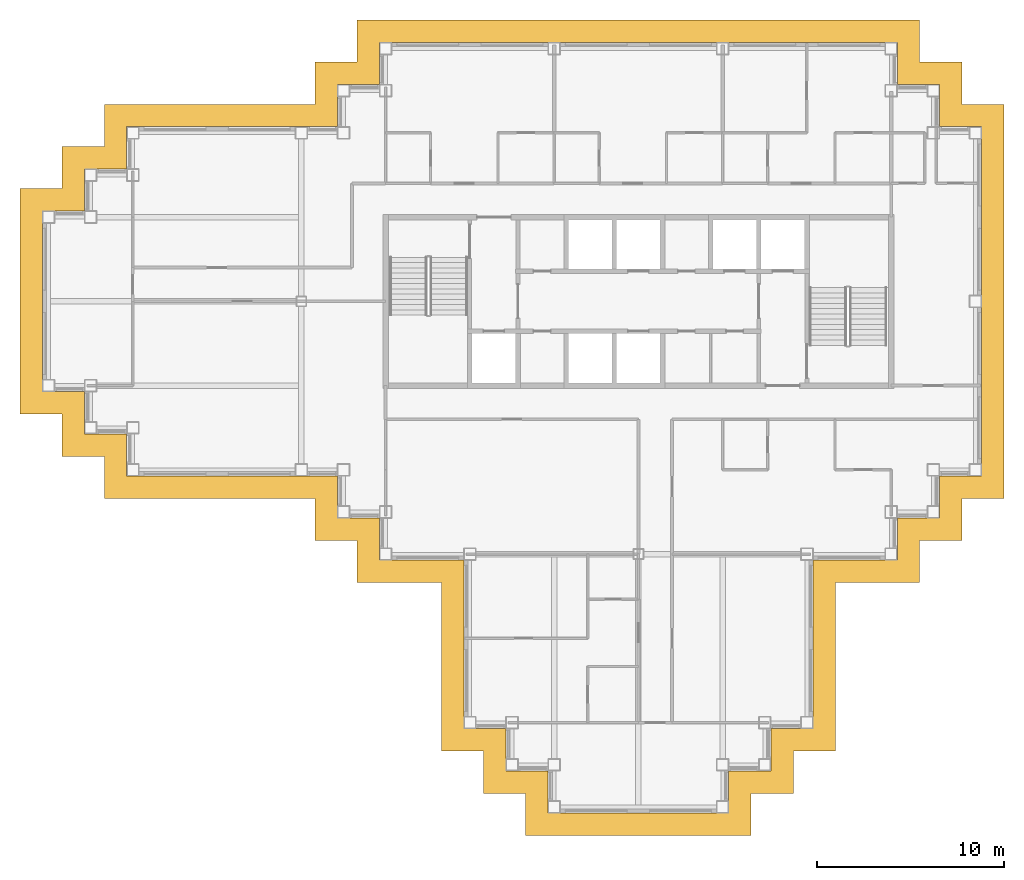
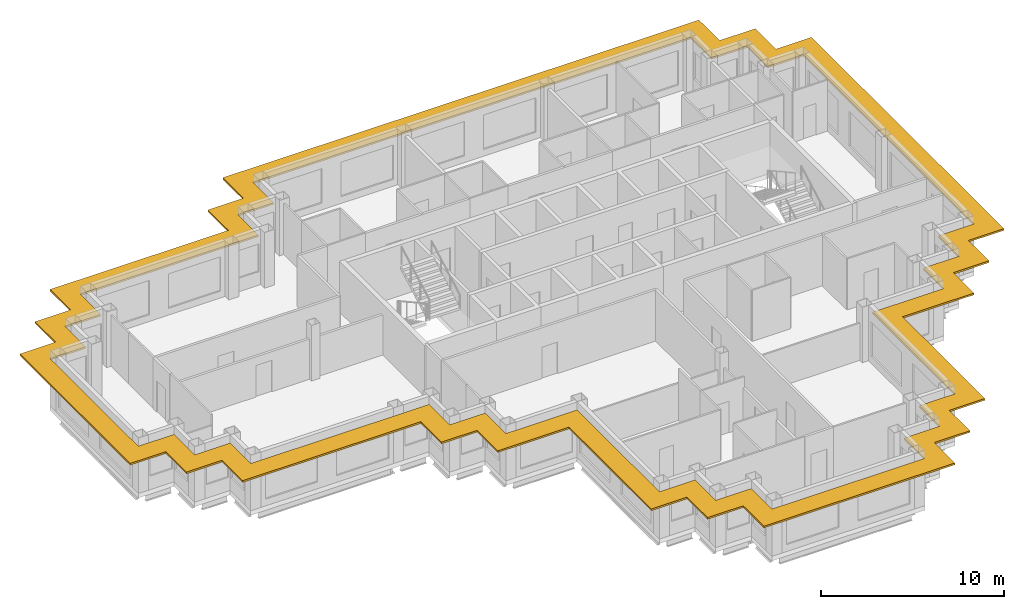
# One storey, part 10 of 11: 1 shading device.
"""IFC4 building model written with IfcOpenShell, lengths in metres."""

import ifcopenshell
import ifcopenshell.guid

model = None  # the IFC model being written
_history = None  # IfcOwnerHistory: only IFC2X3 demands one
_inside = {}  # id of a spatial element -> (the spatial element, [elements in it])
_under = {}  # id of a project, library or spatial element -> (it, [spatial elements below it])
_declared = {}  # id of a project -> (the project, [libraries it declares])
_typed = {}  # id of a type object -> (the type object, [elements of that type])
_made_of = {}  # id of a material, layer set ... -> (it, [elements and type objects made of it])


def new_model(schema):
    """Start an empty IFC model of exactly this schema.

    Asked for "IFC4X3", IfcOpenShell would pick the latest addendum, in which some entities
    have other attributes; the version numbers below select the first issue.
    IFC2X3 requires an IfcOwnerHistory on every rooted entity: one is made here for all.
    """
    global model, _history
    if schema == "IFC4X3":
        model = ifcopenshell.file(schema_version=(4, 3, 0, 0))
    else:
        model = ifcopenshell.file(schema=schema)
    _inside.clear()
    _under.clear()
    _declared.clear()
    _typed.clear()
    _made_of.clear()
    _history = None
    if model.schema == "IFC2X3":
        org = make("IfcOrganization", Name="unknown")
        user = make(
            "IfcPersonAndOrganization",
            ThePerson=make("IfcPerson", FamilyName="unknown"),
            TheOrganization=org,
        )
        app = make(
            "IfcApplication",
            ApplicationDeveloper=org,
            Version="unknown",
            ApplicationFullName="unknown",
            ApplicationIdentifier="unknown",
        )
        _history = make(
            "IfcOwnerHistory",
            OwningUser=user,
            OwningApplication=app,
            ChangeAction="ADDED",
            CreationDate=0,
        )
    return model


def make(cls, **values):
    """One entity of the class cls with the attributes given. An attribute that is None is left unset."""
    return model.create_entity(
        cls, **{name: value for name, value in values.items() if value is not None}
    )


def rooted(cls, **values):
    """An entity with a GlobalId (a new one), such as an element, a storey or a relation."""
    return make(cls, GlobalId=ifcopenshell.guid.new(), OwnerHistory=_history, **values)


def si_unit(unit_type, name, prefix=None):
    """IfcSIUnit, for example si_unit("LENGTHUNIT", "METRE", prefix="MILLI")."""
    return make("IfcSIUnit", UnitType=unit_type, Prefix=prefix, Name=name)


def assignment(units):
    """IfcUnitAssignment: the units of a project."""
    return None if units is None else make("IfcUnitAssignment", Units=units)


def point(xyz):
    """IfcCartesianPoint."""
    return None if xyz is None else make("IfcCartesianPoint", Coordinates=xyz)


def direction(xyz):
    """IfcDirection."""
    return None if xyz is None else make("IfcDirection", DirectionRatios=xyz)


def frame(location, z_axis=None, x_axis=None):
    """IfcAxis2Placement3D, a coordinate frame: its origin and axes. An axis left out is left unset."""
    return make(
        "IfcAxis2Placement3D",
        Location=point(location),
        Axis=direction(z_axis),
        RefDirection=direction(x_axis),
    )


def origin():
    """The frame at (0, 0, 0) with its axes left unset."""
    return frame((0.0, 0.0, 0.0))


def place(relative_to, where):
    """IfcLocalPlacement: puts the frame where relative to a parent placement (None: the world)."""
    return make(
        "IfcLocalPlacement", PlacementRelTo=relative_to, RelativePlacement=where
    )


def context(
    kind, dimensions, precision=None, world=None, true_north=None, identifier=None
):
    """IfcGeometricRepresentationContext, for example the 3D "Model" context."""
    return make(
        "IfcGeometricRepresentationContext",
        ContextIdentifier=identifier,
        ContextType=kind,
        CoordinateSpaceDimension=dimensions,
        Precision=precision,
        WorldCoordinateSystem=world,
        TrueNorth=true_north,
    )


def subcontext(parent, identifier, kind, view, scale=None):
    """IfcGeometricRepresentationSubContext, for example "Body" below "Model"."""
    return make(
        "IfcGeometricRepresentationSubContext",
        ContextIdentifier=identifier,
        ContextType=kind,
        ParentContext=parent,
        TargetScale=scale,
        TargetView=view,
    )


def project(units=None, contexts=None):
    """IfcProject with its units and contexts."""
    return rooted(
        "IfcProject",
        Name="project",
        RepresentationContexts=contexts,
        UnitsInContext=assignment(units),
    )


def spatial(cls, under=None, at=None, **own):
    """A site, building, storey or space (cls), placed at a placement, below another one or the project."""
    s = rooted(cls, ObjectPlacement=at, **own)
    if under is not None:
        _under.setdefault(under.id(), (under, []))[1].append(s)
    return s


def polyline(points):
    """IfcPolyline through the points."""
    return make("IfcPolyline", Points=[point(p) for p in points])


def outline(outer, holes=None, kind="AREA"):
    """IfcArbitraryClosedProfileDef: a profile drawn as a closed curve; with holes, ...WithVoids."""
    if holes is None:
        return make("IfcArbitraryClosedProfileDef", ProfileType=kind, OuterCurve=outer)
    return make(
        "IfcArbitraryProfileDefWithVoids",
        ProfileType=kind,
        OuterCurve=outer,
        InnerCurves=holes,
    )


def extrude(swept, where, along, depth):
    """IfcExtrudedAreaSolid: the profile swept, set in the frame where, extruded along a direction by depth."""
    return make(
        "IfcExtrudedAreaSolid",
        SweptArea=swept,
        Position=where,
        ExtrudedDirection=direction(along),
        Depth=depth,
    )


def shape(context_of_items, identifier, shape_type, items):
    """IfcShapeRepresentation: the items that make up one representation, for example the "Body"."""
    return make(
        "IfcShapeRepresentation",
        ContextOfItems=context_of_items,
        RepresentationIdentifier=identifier,
        RepresentationType=shape_type,
        Items=items,
    )


def material(Name=None, Category=None):
    """IfcMaterial."""
    return make("IfcMaterial", Name=Name, Category=Category)


def layer(
    of_material, thickness, ventilated=None, Name=None, Category=None, Priority=None
):
    """IfcMaterialLayer: one layer of a wall or slab, of a material (None: an air gap)."""
    return make(
        "IfcMaterialLayer",
        Material=of_material,
        LayerThickness=thickness,
        IsVentilated=ventilated,
        Name=Name,
        Category=Category,
        Priority=Priority,
    )


def layer_set(layers, Name=None):
    """IfcMaterialLayerSet."""
    return make("IfcMaterialLayerSet", MaterialLayers=layers, LayerSetName=Name)


def made_of(thing, what):
    """Note that an element or type object is made of a material, layer set ...; save() writes the relation."""
    if what is not None:
        _made_of.setdefault(what.id(), (what, []))[1].append(thing)
    return thing


def type_object(cls, material=None, **own):
    """A type object (cls), such as IfcWallType, which elements share."""
    return made_of(rooted(cls, **own), material)


def element(
    cls,
    number,
    at=None,
    inside=None,
    cuts=None,
    type_object=None,
    material=None,
    context=None,
    identifier="Body",
    shape_type=None,
    held_by="IfcProductDefinitionShape",
    body=None,
    shapes=None,
    **own,
):
    """One element of the class cls, such as IfcWall. Its Tag is "e" and its number.

    at: its placement. inside: the storey or other place that contains it. cuts: it is an
    opening in that element (IfcRelVoidsElement). A single representation is given by context,
    identifier, shape_type and body (its items); several are given by shapes. held_by: the class
    of the entity that holds the representations. save() writes the other relations.
    """
    e = rooted(cls, Tag="e%d" % number, ObjectPlacement=at, **own)
    if body is not None:
        shapes = [shape(context, identifier, shape_type, body)]
    if shapes is not None:
        e.Representation = make(held_by, Representations=shapes)
    if inside is not None:
        _inside.setdefault(inside.id(), (inside, []))[1].append(e)
    if cuts is not None:
        rooted(
            "IfcRelVoidsElement", RelatingBuildingElement=cuts, RelatedOpeningElement=e
        )
    if type_object is not None:
        _typed.setdefault(type_object.id(), (type_object, []))[1].append(e)
    return made_of(e, material)


def aggregate(whole, parts):
    """IfcRelAggregates: a whole, such as a stair, and the parts it consists of."""
    return rooted("IfcRelAggregates", RelatingObject=whole, RelatedObjects=parts)


def save(model, path):
    """Write the relations noted so far, then the file.

    IfcRelAggregates (storeys below a building ...), IfcRelContainedInSpatialStructure (elements
    in a storey), IfcRelDefinesByType, IfcRelAssociatesMaterial and IfcRelDeclares: one each for
    every whole, place, type object, material and project.
    """
    for whole, parts in _under.values():
        aggregate(whole, parts)
    for where, things in _inside.values():
        rooted(
            "IfcRelContainedInSpatialStructure",
            RelatedElements=things,
            RelatingStructure=where,
        )
    for kind, things in _typed.values():
        rooted("IfcRelDefinesByType", RelatedObjects=things, RelatingType=kind)
    for what, things in _made_of.values():
        rooted("IfcRelAssociatesMaterial", RelatedObjects=things, RelatingMaterial=what)
    for by, libraries in _declared.values():
        rooted("IfcRelDeclares", RelatingContext=by, RelatedDefinitions=libraries)
    model.write(path)


model = new_model("IFC4")

# Units and contexts
model_context = context("Model", 3, precision=1e-05, world=origin(), true_north=direction((0.0, 1.0)))
body_context = subcontext(model_context, "Body", "Model", "MODEL_VIEW")
ifc_project = project(units=[si_unit("LENGTHUNIT", "METRE"), si_unit("AREAUNIT", "SQUARE_METRE"), si_unit("VOLUMEUNIT", "CUBIC_METRE"), si_unit("PLANEANGLEUNIT", "RADIAN"), si_unit("MASSUNIT", "GRAM", prefix="KILO")], contexts=[model_context])

# Site, building, storey
site_placement = place(None, origin())
site = spatial("IfcSite", under=ifc_project, at=site_placement, CompositionType="ELEMENT")
building_placement = place(site_placement, origin())
building = spatial("IfcBuilding", under=site, at=building_placement, Name="Caravel Reach Hotel and Residences", CompositionType="ELEMENT")
storey_placement = place(building_placement, frame((0.0, 0.0, 225.699951171875)))
storey = spatial("IfcBuildingStorey", under=building, at=storey_placement, Name="L57", CompositionType="ELEMENT", Elevation=225.699951171875)

# Shading device
ifc_material = material(Name="Black powder-coated aluminium", Category="aluminium")
ifc_layer = layer(ifc_material, 0.1201171875)
ifc_layer_set = layer_set([ifc_layer], Name="SS1 Sunshade band 1200")
shading_device_type = type_object("IfcShadingDeviceType", Name="SS1 Sunshade band 1200", PredefinedType="USERDEFINED", material=ifc_layer_set)
shading_device_placement = place(storey_placement, frame((0.0, 0.0, 3.0400390625)))
element("IfcShadingDevice", 1, at=shading_device_placement, inside=storey, type_object=shading_device_type, Name="Sunshade L57 1", ObjectType="SUNSHADE", PredefinedType="USERDEFINED", context=body_context, shape_type="SweptSolid", body=[
    extrude(outline(polyline([(42.02490234375, 2.97509765625), (42.02490234375, 11.97509765625), (46.52490234375, 11.97509765625), (46.52490234375, 14.22509765625), (48.77490234375, 14.22509765625), (48.77490234375, 16.47509765625), (51.02490234375, 16.47509765625), (51.02490234375, 37.52490234375), (48.77490234375, 37.52490234375), (48.77490234375, 39.77490234375), (46.52490234375, 39.77490234375), (46.52490234375, 42.02490234375), (16.47509765625, 42.02490234375), (16.47509765625, 39.77490234375), (14.22509765625, 39.77490234375), (14.22509765625, 37.52490234375), (2.97509765625, 37.52490234375), (2.97509765625, 35.27490234375), (0.72509765625, 35.27490234375), (0.72509765625, 33.02490234375), (-1.52490234375, 33.02490234375), (-1.52490234375, 20.97509765625), (0.72509765625, 20.97509765625), (0.72509765625, 18.72509765625), (2.97509765625, 18.72509765625), (2.97509765625, 16.47509765625), (14.22509765625, 16.47509765625), (14.22509765625, 14.22509765625), (16.47509765625, 14.22509765625), (16.47509765625, 11.97509765625), (20.97509765625, 11.97509765625), (20.97509765625, 2.97509765625), (23.22509765625, 2.97509765625), (23.22509765625, 0.72509765625), (25.47509765625, 0.72509765625), (25.47509765625, -1.52490234375), (37.52490234375, -1.52490234375), (37.52490234375, 0.72509765625), (39.77490234375, 0.72509765625), (39.77490234375, 2.97509765625), (42.02490234375, 2.97509765625)]), holes=[polyline([(45.324951171875, 13.175048828125), (40.824951171875, 13.175048828125), (40.824951171875, 4.175048828125), (38.574951171875, 4.175048828125), (38.574951171875, 1.925048828125), (36.324951171875, 1.925048828125), (36.324951171875, -0.324951171875), (26.675048828125, -0.324951171875), (26.675048828125, 1.925048828125), (24.425048828125, 1.925048828125), (24.425048828125, 4.175048828125), (22.175048828125, 4.175048828125), (22.175048828125, 13.175048828125), (17.675048828125, 13.175048828125), (17.675048828125, 15.425048828125), (15.425048828125, 15.425048828125), (15.425048828125, 17.675048828125), (4.175048828125, 17.675048828125), (4.175048828125, 19.925048828125), (1.925048828125, 19.925048828125), (1.925048828125, 22.175048828125), (-0.324951171875, 22.175048828125), (-0.324951171875, 31.824951171875), (1.925048828125, 31.824951171875), (1.925048828125, 34.074951171875), (4.175048828125, 34.074951171875), (4.175048828125, 36.324951171875), (15.425048828125, 36.324951171875), (15.425048828125, 38.574951171875), (17.675048828125, 38.574951171875), (17.675048828125, 40.824951171875), (45.324951171875, 40.824951171875), (45.324951171875, 38.574951171875), (47.574951171875, 38.574951171875), (47.574951171875, 36.324951171875), (49.824951171875, 36.324951171875), (49.824951171875, 17.675048828125), (47.574951171875, 17.675048828125), (47.574951171875, 15.425048828125), (45.324951171875, 15.425048828125), (45.324951171875, 13.175048828125)])]), origin(), (0.0, 0.0, 1.0), 0.1201171875),
])

save(model, "model.ifc")
